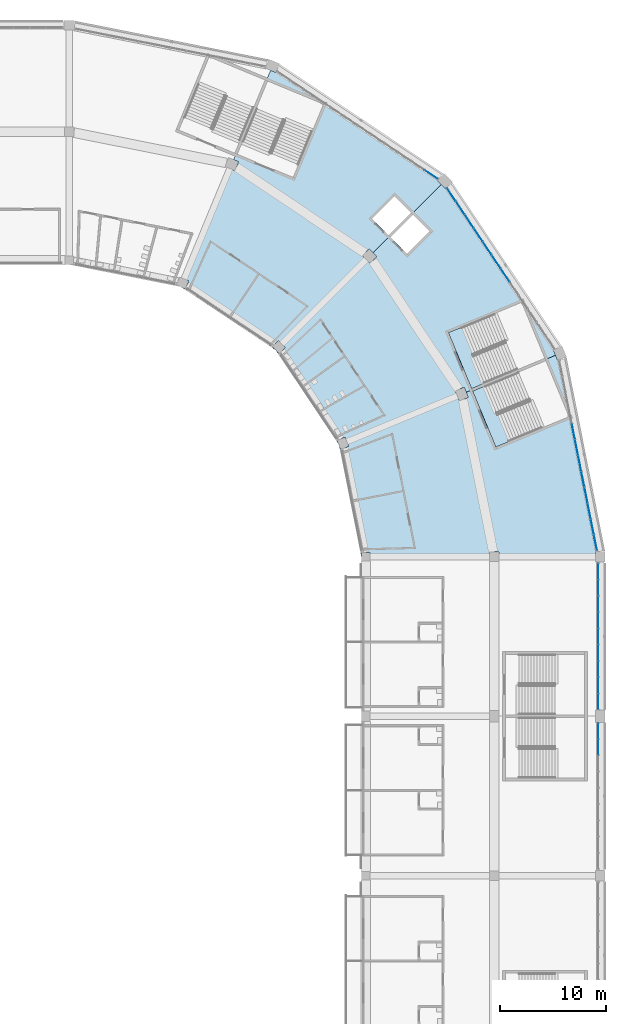
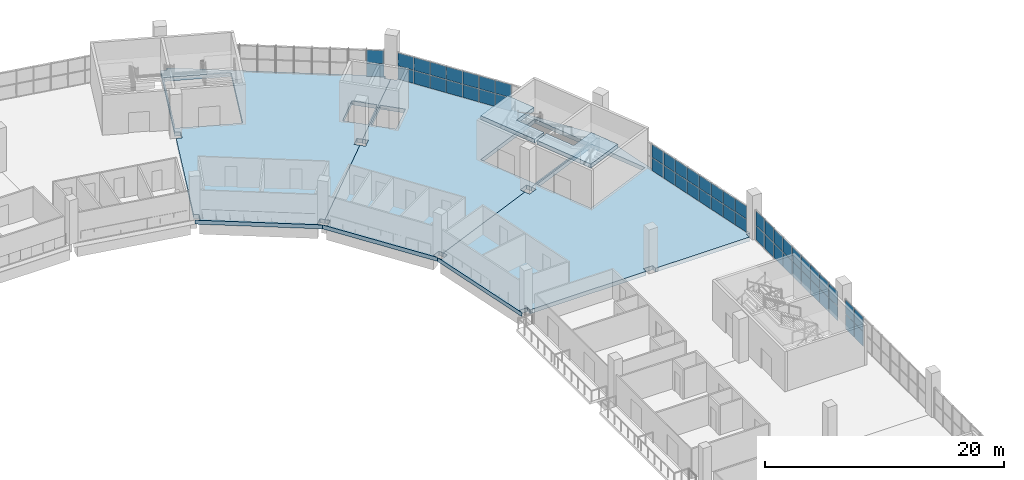
# One storey, part 71 of 199: 54 plates, 5 slabs, 7 elements without a shape of their own.
"""IFC4 building model written with IfcOpenShell, lengths in metres."""

from ifc_helpers import new_model, si_unit, direction, frame, origin, origin_2d, place, context, subcontext, project, spatial, polyline, rectangle, outline, extrude, material, layer, layer_set, type_object, element, aggregate, save


model = new_model("IFC4")

# Units and contexts
model_context = context("Model", 3, precision=1e-05, world=origin(), true_north=direction((0.0, 1.0)))
body_context = subcontext(model_context, "Body", "Model", "MODEL_VIEW")
ifc_project = project(units=[si_unit("LENGTHUNIT", "METRE"), si_unit("AREAUNIT", "SQUARE_METRE"), si_unit("VOLUMEUNIT", "CUBIC_METRE"), si_unit("PLANEANGLEUNIT", "RADIAN"), si_unit("MASSUNIT", "GRAM", prefix="KILO")], contexts=[model_context])

# Site, building, storey
site_placement = place(None, origin())
site = spatial("IfcSite", under=ifc_project, at=site_placement, CompositionType="ELEMENT")
building_placement = place(site_placement, origin())
building = spatial("IfcBuilding", under=site, at=building_placement, Name="Ogive Plaza Stadium", CompositionType="ELEMENT")
storey_placement = place(building_placement, frame((0.0, 0.0, 9.0)))
storey = spatial("IfcBuildingStorey", under=building, at=storey_placement, Name="L02", CompositionType="ELEMENT", Elevation=9.0)

# Curtain wall, plates
ifc_material_1 = material(Name="Bronze-anodised aluminium with laminated glass", Category="aluminium")
curtain_wall_type = type_object("IfcCurtainWallType", Name="Lancet curtain wall", PredefinedType="NOTDEFINED", material=ifc_material_1)
curtain_wall_1_placement = place(storey_placement, origin())
curtain_wall_1 = element("IfcCurtainWall", 1, at=curtain_wall_1_placement, inside=storey, type_object=curtain_wall_type, Name="CURTAIN WALL B01 L02", PredefinedType="NOTDEFINED")
ifc_material_2 = material(Name="Laminated glass", Category="glass")
ifc_layer_1 = layer(ifc_material_2, 0.028076171875)
ifc_layer_set_1 = layer_set([ifc_layer_1], Name="Laminated glass panel 28")
plate_type = type_object("IfcPlateType", Name="Laminated glass panel 28", PredefinedType="CURTAIN_PANEL", material=ifc_layer_set_1)
plate_1_placement = place(storey_placement, frame((83.800048828125, 51.120849609375, 0.0498046875), z_axis=(0.0, 0.0, 1.0), x_axis=(0.0, -1.0, 0.0)))
plate_1 = element("IfcPlate", 2, at=plate_1_placement, type_object=plate_type, Name="CW-B01-L02 panel 1.1", PredefinedType="CURTAIN_PANEL", context=body_context, shape_type="SweptSolid", body=[
    extrude(rectangle(XDim=1.458251953125, YDim=0.028076171875, at=origin_2d()), origin(), (0.0, 0.0, 1.0), 1.469970703125),
])
plate_2_placement = place(storey_placement, frame((83.800048828125, 51.120849609375, 1.56982421875), z_axis=(0.0, 0.0, 1.0), x_axis=(0.0, -1.0, 0.0)))
plate_2 = element("IfcPlate", 3, at=plate_2_placement, type_object=plate_type, Name="CW-B01-L02 panel 1.2", PredefinedType="CURTAIN_PANEL", context=body_context, shape_type="SweptSolid", body=[
    extrude(rectangle(XDim=1.458251953125, YDim=0.028076171875, at=origin_2d()), origin(), (0.0, 0.0, 1.0), 1.469970703125),
])
plate_3_placement = place(storey_placement, frame((83.800048828125, 49.60009765625, 0.0498046875), z_axis=(0.0, 0.0, 1.0), x_axis=(0.0, -1.0, 0.0)))
plate_3 = element("IfcPlate", 4, at=plate_3_placement, type_object=plate_type, Name="CW-B01-L02 panel 2.1", PredefinedType="CURTAIN_PANEL", context=body_context, shape_type="SweptSolid", body=[
    extrude(rectangle(XDim=1.4833984375, YDim=0.028076171875, at=origin_2d()), origin(), (0.0, 0.0, 1.0), 1.469970703125),
])
plate_4_placement = place(storey_placement, frame((83.800048828125, 49.60009765625, 1.56982421875), z_axis=(0.0, 0.0, 1.0), x_axis=(0.0, -1.0, 0.0)))
plate_4 = element("IfcPlate", 5, at=plate_4_placement, type_object=plate_type, Name="CW-B01-L02 panel 2.2", PredefinedType="CURTAIN_PANEL", context=body_context, shape_type="SweptSolid", body=[
    extrude(rectangle(XDim=1.4833984375, YDim=0.028076171875, at=origin_2d()), origin(), (0.0, 0.0, 1.0), 1.469970703125),
])
plate_5_placement = place(storey_placement, frame((83.800048828125, 48.066650390625, 0.0498046875), z_axis=(0.0, 0.0, 1.0), x_axis=(0.0, -1.0, 0.0)))
plate_5 = element("IfcPlate", 6, at=plate_5_placement, type_object=plate_type, Name="CW-B01-L02 panel 3.1", PredefinedType="CURTAIN_PANEL", context=body_context, shape_type="SweptSolid", body=[
    extrude(rectangle(XDim=1.4833984375, YDim=0.028076171875, at=origin_2d()), origin(), (0.0, 0.0, 1.0), 1.469970703125),
])
plate_6_placement = place(storey_placement, frame((83.800048828125, 48.066650390625, 1.56982421875), z_axis=(0.0, 0.0, 1.0), x_axis=(0.0, -1.0, 0.0)))
plate_6 = element("IfcPlate", 7, at=plate_6_placement, type_object=plate_type, Name="CW-B01-L02 panel 3.2", PredefinedType="CURTAIN_PANEL", context=body_context, shape_type="SweptSolid", body=[
    extrude(rectangle(XDim=1.4833984375, YDim=0.028076171875, at=origin_2d()), origin(), (0.0, 0.0, 1.0), 1.469970703125),
])
plate_7_placement = place(storey_placement, frame((83.800048828125, 46.533447265625, 0.0498046875), z_axis=(0.0, 0.0, 1.0), x_axis=(0.0, -1.0, 0.0)))
plate_7 = element("IfcPlate", 8, at=plate_7_placement, type_object=plate_type, Name="CW-B01-L02 panel 4.1", PredefinedType="CURTAIN_PANEL", context=body_context, shape_type="SweptSolid", body=[
    extrude(rectangle(XDim=1.4833984375, YDim=0.028076171875, at=origin_2d()), origin(), (0.0, 0.0, 1.0), 1.469970703125),
])
plate_8_placement = place(storey_placement, frame((83.800048828125, 46.533447265625, 1.56982421875), z_axis=(0.0, 0.0, 1.0), x_axis=(0.0, -1.0, 0.0)))
plate_8 = element("IfcPlate", 9, at=plate_8_placement, type_object=plate_type, Name="CW-B01-L02 panel 4.2", PredefinedType="CURTAIN_PANEL", context=body_context, shape_type="SweptSolid", body=[
    extrude(rectangle(XDim=1.4833984375, YDim=0.028076171875, at=origin_2d()), origin(), (0.0, 0.0, 1.0), 1.469970703125),
])
plate_9_placement = place(storey_placement, frame((83.800048828125, 45.0, 0.0498046875), z_axis=(0.0, 0.0, 1.0), x_axis=(0.0, -1.0, 0.0)))
plate_9 = element("IfcPlate", 10, at=plate_9_placement, type_object=plate_type, Name="CW-B01-L02 panel 5.1", PredefinedType="CURTAIN_PANEL", context=body_context, shape_type="SweptSolid", body=[
    extrude(rectangle(XDim=1.4833984375, YDim=0.028076171875, at=origin_2d()), origin(), (0.0, 0.0, 1.0), 1.469970703125),
])
plate_10_placement = place(storey_placement, frame((83.800048828125, 45.0, 1.56982421875), z_axis=(0.0, 0.0, 1.0), x_axis=(0.0, -1.0, 0.0)))
plate_10 = element("IfcPlate", 11, at=plate_10_placement, type_object=plate_type, Name="CW-B01-L02 panel 5.2", PredefinedType="CURTAIN_PANEL", context=body_context, shape_type="SweptSolid", body=[
    extrude(rectangle(XDim=1.4833984375, YDim=0.028076171875, at=origin_2d()), origin(), (0.0, 0.0, 1.0), 1.469970703125),
])
plate_11_placement = place(storey_placement, frame((83.800048828125, 43.466552734375, 0.0498046875), z_axis=(0.0, 0.0, 1.0), x_axis=(0.0, -1.0, 0.0)))
plate_11 = element("IfcPlate", 12, at=plate_11_placement, type_object=plate_type, Name="CW-B01-L02 panel 6.1", PredefinedType="CURTAIN_PANEL", context=body_context, shape_type="SweptSolid", body=[
    extrude(rectangle(XDim=1.4833984375, YDim=0.028076171875, at=origin_2d()), origin(), (0.0, 0.0, 1.0), 1.469970703125),
])
plate_12_placement = place(storey_placement, frame((83.800048828125, 43.466552734375, 1.56982421875), z_axis=(0.0, 0.0, 1.0), x_axis=(0.0, -1.0, 0.0)))
plate_12 = element("IfcPlate", 13, at=plate_12_placement, type_object=plate_type, Name="CW-B01-L02 panel 6.2", PredefinedType="CURTAIN_PANEL", context=body_context, shape_type="SweptSolid", body=[
    extrude(rectangle(XDim=1.4833984375, YDim=0.028076171875, at=origin_2d()), origin(), (0.0, 0.0, 1.0), 1.469970703125),
])
plate_13_placement = place(storey_placement, frame((83.800048828125, 41.933349609375, 0.0498046875), z_axis=(0.0, 0.0, 1.0), x_axis=(0.0, -1.0, 0.0)))
plate_13 = element("IfcPlate", 14, at=plate_13_placement, type_object=plate_type, Name="CW-B01-L02 panel 7.1", PredefinedType="CURTAIN_PANEL", context=body_context, shape_type="SweptSolid", body=[
    extrude(rectangle(XDim=1.4833984375, YDim=0.028076171875, at=origin_2d()), origin(), (0.0, 0.0, 1.0), 1.469970703125),
])
plate_14_placement = place(storey_placement, frame((83.800048828125, 41.933349609375, 1.56982421875), z_axis=(0.0, 0.0, 1.0), x_axis=(0.0, -1.0, 0.0)))
plate_14 = element("IfcPlate", 15, at=plate_14_placement, type_object=plate_type, Name="CW-B01-L02 panel 7.2", PredefinedType="CURTAIN_PANEL", context=body_context, shape_type="SweptSolid", body=[
    extrude(rectangle(XDim=1.4833984375, YDim=0.028076171875, at=origin_2d()), origin(), (0.0, 0.0, 1.0), 1.469970703125),
])
plate_15_placement = place(storey_placement, frame((83.800048828125, 40.39990234375, 0.0498046875), z_axis=(0.0, 0.0, 1.0), x_axis=(0.0, -1.0, 0.0)))
plate_15 = element("IfcPlate", 16, at=plate_15_placement, type_object=plate_type, Name="CW-B01-L02 panel 8.1", PredefinedType="CURTAIN_PANEL", context=body_context, shape_type="SweptSolid", body=[
    extrude(rectangle(XDim=1.4833984375, YDim=0.028076171875, at=origin_2d()), origin(), (0.0, 0.0, 1.0), 1.469970703125),
])
plate_16_placement = place(storey_placement, frame((83.800048828125, 40.39990234375, 1.56982421875), z_axis=(0.0, 0.0, 1.0), x_axis=(0.0, -1.0, 0.0)))
plate_16 = element("IfcPlate", 17, at=plate_16_placement, type_object=plate_type, Name="CW-B01-L02 panel 8.2", PredefinedType="CURTAIN_PANEL", context=body_context, shape_type="SweptSolid", body=[
    extrude(rectangle(XDim=1.4833984375, YDim=0.028076171875, at=origin_2d()), origin(), (0.0, 0.0, 1.0), 1.469970703125),
])
plate_17_placement = place(storey_placement, frame((83.800048828125, 38.879150390625, 0.0498046875), z_axis=(0.0, 0.0, 1.0), x_axis=(0.0, -1.0, 0.0)))
plate_17 = element("IfcPlate", 18, at=plate_17_placement, type_object=plate_type, Name="CW-B01-L02 panel 9.1", PredefinedType="CURTAIN_PANEL", context=body_context, shape_type="SweptSolid", body=[
    extrude(rectangle(XDim=1.458251953125, YDim=0.028076171875, at=origin_2d()), origin(), (0.0, 0.0, 1.0), 1.469970703125),
])
plate_18_placement = place(storey_placement, frame((83.800048828125, 38.879150390625, 1.56982421875), z_axis=(0.0, 0.0, 1.0), x_axis=(0.0, -1.0, 0.0)))
plate_18 = element("IfcPlate", 19, at=plate_18_placement, type_object=plate_type, Name="CW-B01-L02 panel 9.2", PredefinedType="CURTAIN_PANEL", context=body_context, shape_type="SweptSolid", body=[
    extrude(rectangle(XDim=1.458251953125, YDim=0.028076171875, at=origin_2d()), origin(), (0.0, 0.0, 1.0), 1.469970703125),
])
aggregate(curtain_wall_1, [plate_1, plate_2, plate_3, plate_4, plate_5, plate_6, plate_7, plate_8, plate_9, plate_10, plate_11, plate_12, plate_13, plate_14, plate_15, plate_16, plate_17, plate_18])

curtain_wall_2_placement = place(storey_placement, origin())
curtain_wall_2 = element("IfcCurtainWall", 20, at=curtain_wall_2_placement, inside=storey, type_object=curtain_wall_type, Name="CURTAIN WALL B02 L02", PredefinedType="NOTDEFINED")
plate_19_placement = place(storey_placement, frame((83.800048828125, 36.120849609375, 0.0498046875), z_axis=(0.0, 0.0, 1.0), x_axis=(0.0, -1.0, 0.0)))
plate_19 = element("IfcPlate", 21, at=plate_19_placement, type_object=plate_type, Name="CW-B02-L02 panel 1.1", PredefinedType="CURTAIN_PANEL", context=body_context, shape_type="SweptSolid", body=[
    extrude(rectangle(XDim=1.458251953125, YDim=0.028076171875, at=origin_2d()), origin(), (0.0, 0.0, 1.0), 1.469970703125),
])
plate_20_placement = place(storey_placement, frame((83.800048828125, 36.120849609375, 1.56982421875), z_axis=(0.0, 0.0, 1.0), x_axis=(0.0, -1.0, 0.0)))
plate_20 = element("IfcPlate", 22, at=plate_20_placement, type_object=plate_type, Name="CW-B02-L02 panel 1.2", PredefinedType="CURTAIN_PANEL", context=body_context, shape_type="SweptSolid", body=[
    extrude(rectangle(XDim=1.458251953125, YDim=0.028076171875, at=origin_2d()), origin(), (0.0, 0.0, 1.0), 1.469970703125),
])
plate_21_placement = place(storey_placement, frame((83.800048828125, 34.60009765625, 0.0498046875), z_axis=(0.0, 0.0, 1.0), x_axis=(0.0, -1.0, 0.0)))
plate_21 = element("IfcPlate", 23, at=plate_21_placement, type_object=plate_type, Name="CW-B02-L02 panel 2.1", PredefinedType="CURTAIN_PANEL", context=body_context, shape_type="SweptSolid", body=[
    extrude(rectangle(XDim=1.4833984375, YDim=0.028076171875, at=origin_2d()), origin(), (0.0, 0.0, 1.0), 1.469970703125),
])
plate_22_placement = place(storey_placement, frame((83.800048828125, 34.60009765625, 1.56982421875), z_axis=(0.0, 0.0, 1.0), x_axis=(0.0, -1.0, 0.0)))
plate_22 = element("IfcPlate", 24, at=plate_22_placement, type_object=plate_type, Name="CW-B02-L02 panel 2.2", PredefinedType="CURTAIN_PANEL", context=body_context, shape_type="SweptSolid", body=[
    extrude(rectangle(XDim=1.4833984375, YDim=0.028076171875, at=origin_2d()), origin(), (0.0, 0.0, 1.0), 1.469970703125),
])
aggregate(curtain_wall_2, [plate_19, plate_20, plate_21, plate_22])

curtain_wall_3_placement = place(storey_placement, origin())
curtain_wall_3 = element("IfcCurtainWall", 25, at=curtain_wall_3_placement, inside=storey, type_object=curtain_wall_type, Name="CURTAIN WALL B38 L02", PredefinedType="NOTDEFINED")
plate_23_placement = place(storey_placement, frame((68.0849609375, 88.463623046875, 0.0498046875), z_axis=(0.0, 0.0, 1.0), x_axis=(0.831469612303, -0.55557023302, 0.0)))
plate_23 = element("IfcPlate", 26, at=plate_23_placement, type_object=plate_type, Name="CW-B38-L02 panel 12.1", PredefinedType="CURTAIN_PANEL", context=body_context, shape_type="SweptSolid", body=[
    extrude(rectangle(XDim=1.447265625, YDim=0.028076171875, at=origin_2d()), origin(), (0.0, 0.0, 1.0), 1.320068359375),
])
plate_24_placement = place(storey_placement, frame((68.0849609375, 88.463623046875, 1.419921875), z_axis=(0.0, 0.0, 1.0), x_axis=(0.831469612303, -0.55557023302, 0.0)))
plate_24 = element("IfcPlate", 27, at=plate_24_placement, type_object=plate_type, Name="CW-B38-L02 panel 12.2", PredefinedType="CURTAIN_PANEL", context=body_context, shape_type="SweptSolid", body=[
    extrude(rectangle(XDim=1.447265625, YDim=0.028076171875, at=origin_2d()), origin(), (0.0, 0.0, 1.0), 1.320068359375),
])
aggregate(curtain_wall_3, [plate_23, plate_24])

curtain_wall_4_placement = place(storey_placement, origin())
curtain_wall_4 = element("IfcCurtainWall", 28, at=curtain_wall_4_placement, inside=storey, type_object=curtain_wall_type, Name="CURTAIN WALL B39 L02", PredefinedType="NOTDEFINED")
plate_25_placement = place(storey_placement, frame((69.963623046875, 86.5849609375, 0.0498046875), z_axis=(0.0, 0.0, 1.0), x_axis=(0.55557023302, -0.831469612303, 0.0)))
plate_25 = element("IfcPlate", 29, at=plate_25_placement, type_object=plate_type, Name="CW-B39-L02 panel 1.1", PredefinedType="CURTAIN_PANEL", context=body_context, shape_type="SweptSolid", body=[
    extrude(rectangle(XDim=1.447265625, YDim=0.028076171875, at=origin_2d()), origin(), (0.0, 0.0, 1.0), 1.320068359375),
])
plate_26_placement = place(storey_placement, frame((69.963623046875, 86.5849609375, 1.419921875), z_axis=(0.0, 0.0, 1.0), x_axis=(0.55557023302, -0.831469612303, 0.0)))
plate_26 = element("IfcPlate", 30, at=plate_26_placement, type_object=plate_type, Name="CW-B39-L02 panel 1.2", PredefinedType="CURTAIN_PANEL", context=body_context, shape_type="SweptSolid", body=[
    extrude(rectangle(XDim=1.447265625, YDim=0.028076171875, at=origin_2d()), origin(), (0.0, 0.0, 1.0), 1.320068359375),
])
plate_27_placement = place(storey_placement, frame((70.802490234375, 85.32958984375, 0.0498046875), z_axis=(0.0, 0.0, 1.0), x_axis=(0.55557023302, -0.831469612303, 0.0)))
plate_27 = element("IfcPlate", 31, at=plate_27_placement, type_object=plate_type, Name="CW-B39-L02 panel 2.1", PredefinedType="CURTAIN_PANEL", context=body_context, shape_type="SweptSolid", body=[
    extrude(rectangle(XDim=1.472412109375, YDim=0.028076171875, at=origin_2d()), origin(), (0.0, 0.0, 1.0), 1.320068359375),
])
plate_28_placement = place(storey_placement, frame((70.802490234375, 85.32958984375, 1.419921875), z_axis=(0.0, 0.0, 1.0), x_axis=(0.55557023302, -0.831469612303, 0.0)))
plate_28 = element("IfcPlate", 32, at=plate_28_placement, type_object=plate_type, Name="CW-B39-L02 panel 2.2", PredefinedType="CURTAIN_PANEL", context=body_context, shape_type="SweptSolid", body=[
    extrude(rectangle(XDim=1.472412109375, YDim=0.028076171875, at=origin_2d()), origin(), (0.0, 0.0, 1.0), 1.320068359375),
])
plate_29_placement = place(storey_placement, frame((71.648193359375, 84.06396484375, 0.0498046875), z_axis=(0.0, 0.0, 1.0), x_axis=(0.55557023302, -0.831469612303, 0.0)))
plate_29 = element("IfcPlate", 33, at=plate_29_placement, type_object=plate_type, Name="CW-B39-L02 panel 3.1", PredefinedType="CURTAIN_PANEL", context=body_context, shape_type="SweptSolid", body=[
    extrude(rectangle(XDim=1.472412109375, YDim=0.028076171875, at=origin_2d()), origin(), (0.0, 0.0, 1.0), 1.320068359375),
])
plate_30_placement = place(storey_placement, frame((71.648193359375, 84.06396484375, 1.419921875), z_axis=(0.0, 0.0, 1.0), x_axis=(0.55557023302, -0.831469612303, 0.0)))
plate_30 = element("IfcPlate", 34, at=plate_30_placement, type_object=plate_type, Name="CW-B39-L02 panel 3.2", PredefinedType="CURTAIN_PANEL", context=body_context, shape_type="SweptSolid", body=[
    extrude(rectangle(XDim=1.472412109375, YDim=0.028076171875, at=origin_2d()), origin(), (0.0, 0.0, 1.0), 1.320068359375),
])
plate_31_placement = place(storey_placement, frame((72.493896484375, 82.798095703125, 0.0498046875), z_axis=(0.0, 0.0, 1.0), x_axis=(0.55557023302, -0.831469612303, 0.0)))
plate_31 = element("IfcPlate", 35, at=plate_31_placement, type_object=plate_type, Name="CW-B39-L02 panel 4.1", PredefinedType="CURTAIN_PANEL", context=body_context, shape_type="SweptSolid", body=[
    extrude(rectangle(XDim=1.472412109375, YDim=0.028076171875, at=origin_2d()), origin(), (0.0, 0.0, 1.0), 1.320068359375),
])
plate_32_placement = place(storey_placement, frame((72.493896484375, 82.798095703125, 1.419921875), z_axis=(0.0, 0.0, 1.0), x_axis=(0.55557023302, -0.831469612303, 0.0)))
plate_32 = element("IfcPlate", 36, at=plate_32_placement, type_object=plate_type, Name="CW-B39-L02 panel 4.2", PredefinedType="CURTAIN_PANEL", context=body_context, shape_type="SweptSolid", body=[
    extrude(rectangle(XDim=1.472412109375, YDim=0.028076171875, at=origin_2d()), origin(), (0.0, 0.0, 1.0), 1.320068359375),
])
plate_33_placement = place(storey_placement, frame((73.339599609375, 81.5322265625, 0.0498046875), z_axis=(0.0, 0.0, 1.0), x_axis=(0.55557023302, -0.831469612303, 0.0)))
plate_33 = element("IfcPlate", 37, at=plate_33_placement, type_object=plate_type, Name="CW-B39-L02 panel 5.1", PredefinedType="CURTAIN_PANEL", context=body_context, shape_type="SweptSolid", body=[
    extrude(rectangle(XDim=1.472412109375, YDim=0.028076171875, at=origin_2d()), origin(), (0.0, 0.0, 1.0), 1.320068359375),
])
plate_34_placement = place(storey_placement, frame((73.339599609375, 81.5322265625, 1.419921875), z_axis=(0.0, 0.0, 1.0), x_axis=(0.55557023302, -0.831469612303, 0.0)))
plate_34 = element("IfcPlate", 38, at=plate_34_placement, type_object=plate_type, Name="CW-B39-L02 panel 5.2", PredefinedType="CURTAIN_PANEL", context=body_context, shape_type="SweptSolid", body=[
    extrude(rectangle(XDim=1.472412109375, YDim=0.028076171875, at=origin_2d()), origin(), (0.0, 0.0, 1.0), 1.320068359375),
])
plate_35_placement = place(storey_placement, frame((74.185546875, 80.2666015625, 0.0498046875), z_axis=(0.0, 0.0, 1.0), x_axis=(0.55557023302, -0.831469612303, 0.0)))
plate_35 = element("IfcPlate", 39, at=plate_35_placement, type_object=plate_type, Name="CW-B39-L02 panel 6.1", PredefinedType="CURTAIN_PANEL", context=body_context, shape_type="SweptSolid", body=[
    extrude(rectangle(XDim=1.472412109375, YDim=0.028076171875, at=origin_2d()), origin(), (0.0, 0.0, 1.0), 1.320068359375),
])
plate_36_placement = place(storey_placement, frame((74.185546875, 80.2666015625, 1.419921875), z_axis=(0.0, 0.0, 1.0), x_axis=(0.55557023302, -0.831469612303, 0.0)))
plate_36 = element("IfcPlate", 40, at=plate_36_placement, type_object=plate_type, Name="CW-B39-L02 panel 6.2", PredefinedType="CURTAIN_PANEL", context=body_context, shape_type="SweptSolid", body=[
    extrude(rectangle(XDim=1.472412109375, YDim=0.028076171875, at=origin_2d()), origin(), (0.0, 0.0, 1.0), 1.320068359375),
])
plate_37_placement = place(storey_placement, frame((75.03125, 79.000732421875, 0.0498046875), z_axis=(0.0, 0.0, 1.0), x_axis=(0.55557023302, -0.831469612303, 0.0)))
plate_37 = element("IfcPlate", 41, at=plate_37_placement, type_object=plate_type, Name="CW-B39-L02 panel 7.1", PredefinedType="CURTAIN_PANEL", context=body_context, shape_type="SweptSolid", body=[
    extrude(rectangle(XDim=1.472412109375, YDim=0.028076171875, at=origin_2d()), origin(), (0.0, 0.0, 1.0), 1.320068359375),
])
plate_38_placement = place(storey_placement, frame((75.03125, 79.000732421875, 1.419921875), z_axis=(0.0, 0.0, 1.0), x_axis=(0.55557023302, -0.831469612303, 0.0)))
plate_38 = element("IfcPlate", 42, at=plate_38_placement, type_object=plate_type, Name="CW-B39-L02 panel 7.2", PredefinedType="CURTAIN_PANEL", context=body_context, shape_type="SweptSolid", body=[
    extrude(rectangle(XDim=1.472412109375, YDim=0.028076171875, at=origin_2d()), origin(), (0.0, 0.0, 1.0), 1.320068359375),
])
aggregate(curtain_wall_4, [plate_25, plate_26, plate_27, plate_28, plate_29, plate_30, plate_31, plate_32, plate_33, plate_34, plate_35, plate_36, plate_37, plate_38])

curtain_wall_5_placement = place(storey_placement, origin())
curtain_wall_5 = element("IfcCurtainWall", 43, at=curtain_wall_5_placement, inside=storey, type_object=curtain_wall_type, Name="CURTAIN WALL B40 L02", PredefinedType="NOTDEFINED")
plate_39_placement = place(storey_placement, frame((81.455322265625, 64.267822265625, 0.0498046875), z_axis=(0.0, 0.0, 1.0), x_axis=(0.195090322033, -0.9807852804, 0.0)))
plate_39 = element("IfcPlate", 44, at=plate_39_placement, type_object=plate_type, Name="CW-B40-L02 panel 5.1", PredefinedType="CURTAIN_PANEL", context=body_context, shape_type="SweptSolid", body=[
    extrude(rectangle(XDim=1.472412109375, YDim=0.028076171875, at=origin_2d()), origin(), (0.0, 0.0, 1.0), 1.320068359375),
])
plate_40_placement = place(storey_placement, frame((81.455322265625, 64.267822265625, 1.419921875), z_axis=(0.0, 0.0, 1.0), x_axis=(0.195090322033, -0.9807852804, 0.0)))
plate_40 = element("IfcPlate", 45, at=plate_40_placement, type_object=plate_type, Name="CW-B40-L02 panel 5.2", PredefinedType="CURTAIN_PANEL", context=body_context, shape_type="SweptSolid", body=[
    extrude(rectangle(XDim=1.472412109375, YDim=0.028076171875, at=origin_2d()), origin(), (0.0, 0.0, 1.0), 1.320068359375),
])
plate_41_placement = place(storey_placement, frame((81.75244140625, 62.774658203125, 0.0498046875), z_axis=(0.0, 0.0, 1.0), x_axis=(0.195090322033, -0.9807852804, 0.0)))
plate_41 = element("IfcPlate", 46, at=plate_41_placement, type_object=plate_type, Name="CW-B40-L02 panel 6.1", PredefinedType="CURTAIN_PANEL", context=body_context, shape_type="SweptSolid", body=[
    extrude(rectangle(XDim=1.472412109375, YDim=0.028076171875, at=origin_2d()), origin(), (0.0, 0.0, 1.0), 1.320068359375),
])
plate_42_placement = place(storey_placement, frame((81.75244140625, 62.774658203125, 1.419921875), z_axis=(0.0, 0.0, 1.0), x_axis=(0.195090322033, -0.9807852804, 0.0)))
plate_42 = element("IfcPlate", 47, at=plate_42_placement, type_object=plate_type, Name="CW-B40-L02 panel 6.2", PredefinedType="CURTAIN_PANEL", context=body_context, shape_type="SweptSolid", body=[
    extrude(rectangle(XDim=1.472412109375, YDim=0.028076171875, at=origin_2d()), origin(), (0.0, 0.0, 1.0), 1.320068359375),
])
plate_43_placement = place(storey_placement, frame((82.04931640625, 61.281494140625, 0.0498046875), z_axis=(0.0, 0.0, 1.0), x_axis=(0.195090322033, -0.9807852804, 0.0)))
plate_43 = element("IfcPlate", 48, at=plate_43_placement, type_object=plate_type, Name="CW-B40-L02 panel 7.1", PredefinedType="CURTAIN_PANEL", context=body_context, shape_type="SweptSolid", body=[
    extrude(rectangle(XDim=1.472412109375, YDim=0.028076171875, at=origin_2d()), origin(), (0.0, 0.0, 1.0), 1.320068359375),
])
plate_44_placement = place(storey_placement, frame((82.04931640625, 61.281494140625, 1.419921875), z_axis=(0.0, 0.0, 1.0), x_axis=(0.195090322033, -0.9807852804, 0.0)))
plate_44 = element("IfcPlate", 49, at=plate_44_placement, type_object=plate_type, Name="CW-B40-L02 panel 7.2", PredefinedType="CURTAIN_PANEL", context=body_context, shape_type="SweptSolid", body=[
    extrude(rectangle(XDim=1.472412109375, YDim=0.028076171875, at=origin_2d()), origin(), (0.0, 0.0, 1.0), 1.320068359375),
])
plate_45_placement = place(storey_placement, frame((82.346435546875, 59.788330078125, 0.0498046875), z_axis=(0.0, 0.0, 1.0), x_axis=(0.195090322033, -0.9807852804, 0.0)))
plate_45 = element("IfcPlate", 50, at=plate_45_placement, type_object=plate_type, Name="CW-B40-L02 panel 8.1", PredefinedType="CURTAIN_PANEL", context=body_context, shape_type="SweptSolid", body=[
    extrude(rectangle(XDim=1.472412109375, YDim=0.028076171875, at=origin_2d()), origin(), (0.0, 0.0, 1.0), 1.320068359375),
])
plate_46_placement = place(storey_placement, frame((82.346435546875, 59.788330078125, 1.419921875), z_axis=(0.0, 0.0, 1.0), x_axis=(0.195090322033, -0.9807852804, 0.0)))
plate_46 = element("IfcPlate", 51, at=plate_46_placement, type_object=plate_type, Name="CW-B40-L02 panel 8.2", PredefinedType="CURTAIN_PANEL", context=body_context, shape_type="SweptSolid", body=[
    extrude(rectangle(XDim=1.472412109375, YDim=0.028076171875, at=origin_2d()), origin(), (0.0, 0.0, 1.0), 1.320068359375),
])
plate_47_placement = place(storey_placement, frame((82.643310546875, 58.29541015625, 0.0498046875), z_axis=(0.0, 0.0, 1.0), x_axis=(0.195090322033, -0.9807852804, 0.0)))
plate_47 = element("IfcPlate", 52, at=plate_47_placement, type_object=plate_type, Name="CW-B40-L02 panel 9.1", PredefinedType="CURTAIN_PANEL", context=body_context, shape_type="SweptSolid", body=[
    extrude(rectangle(XDim=1.472412109375, YDim=0.028076171875, at=origin_2d()), origin(), (0.0, 0.0, 1.0), 1.320068359375),
])
plate_48_placement = place(storey_placement, frame((82.643310546875, 58.29541015625, 1.419921875), z_axis=(0.0, 0.0, 1.0), x_axis=(0.195090322033, -0.9807852804, 0.0)))
plate_48 = element("IfcPlate", 53, at=plate_48_placement, type_object=plate_type, Name="CW-B40-L02 panel 9.2", PredefinedType="CURTAIN_PANEL", context=body_context, shape_type="SweptSolid", body=[
    extrude(rectangle(XDim=1.472412109375, YDim=0.028076171875, at=origin_2d()), origin(), (0.0, 0.0, 1.0), 1.320068359375),
])
plate_49_placement = place(storey_placement, frame((82.9404296875, 56.80224609375, 0.0498046875), z_axis=(0.0, 0.0, 1.0), x_axis=(0.195090322033, -0.9807852804, 0.0)))
plate_49 = element("IfcPlate", 54, at=plate_49_placement, type_object=plate_type, Name="CW-B40-L02 panel 10.1", PredefinedType="CURTAIN_PANEL", context=body_context, shape_type="SweptSolid", body=[
    extrude(rectangle(XDim=1.472412109375, YDim=0.028076171875, at=origin_2d()), origin(), (0.0, 0.0, 1.0), 1.320068359375),
])
plate_50_placement = place(storey_placement, frame((82.9404296875, 56.80224609375, 1.419921875), z_axis=(0.0, 0.0, 1.0), x_axis=(0.195090322033, -0.9807852804, 0.0)))
plate_50 = element("IfcPlate", 55, at=plate_50_placement, type_object=plate_type, Name="CW-B40-L02 panel 10.2", PredefinedType="CURTAIN_PANEL", context=body_context, shape_type="SweptSolid", body=[
    extrude(rectangle(XDim=1.472412109375, YDim=0.028076171875, at=origin_2d()), origin(), (0.0, 0.0, 1.0), 1.320068359375),
])
plate_51_placement = place(storey_placement, frame((83.2373046875, 55.30908203125, 0.0498046875), z_axis=(0.0, 0.0, 1.0), x_axis=(0.195090322033, -0.9807852804, 0.0)))
plate_51 = element("IfcPlate", 56, at=plate_51_placement, type_object=plate_type, Name="CW-B40-L02 panel 11.1", PredefinedType="CURTAIN_PANEL", context=body_context, shape_type="SweptSolid", body=[
    extrude(rectangle(XDim=1.472412109375, YDim=0.028076171875, at=origin_2d()), origin(), (0.0, 0.0, 1.0), 1.320068359375),
])
plate_52_placement = place(storey_placement, frame((83.2373046875, 55.30908203125, 1.419921875), z_axis=(0.0, 0.0, 1.0), x_axis=(0.195090322033, -0.9807852804, 0.0)))
plate_52 = element("IfcPlate", 57, at=plate_52_placement, type_object=plate_type, Name="CW-B40-L02 panel 11.2", PredefinedType="CURTAIN_PANEL", context=body_context, shape_type="SweptSolid", body=[
    extrude(rectangle(XDim=1.472412109375, YDim=0.028076171875, at=origin_2d()), origin(), (0.0, 0.0, 1.0), 1.320068359375),
])
plate_53_placement = place(storey_placement, frame((83.531982421875, 53.828369140625, 0.0498046875), z_axis=(0.0, 0.0, 1.0), x_axis=(0.195090322033, -0.9807852804, 0.0)))
plate_53 = element("IfcPlate", 58, at=plate_53_placement, type_object=plate_type, Name="CW-B40-L02 panel 12.1", PredefinedType="CURTAIN_PANEL", context=body_context, shape_type="SweptSolid", body=[
    extrude(rectangle(XDim=1.447265625, YDim=0.028076171875, at=origin_2d()), origin(), (0.0, 0.0, 1.0), 1.320068359375),
])
plate_54_placement = place(storey_placement, frame((83.531982421875, 53.828369140625, 1.419921875), z_axis=(0.0, 0.0, 1.0), x_axis=(0.195090322033, -0.9807852804, 0.0)))
plate_54 = element("IfcPlate", 59, at=plate_54_placement, type_object=plate_type, Name="CW-B40-L02 panel 12.2", PredefinedType="CURTAIN_PANEL", context=body_context, shape_type="SweptSolid", body=[
    extrude(rectangle(XDim=1.447265625, YDim=0.028076171875, at=origin_2d()), origin(), (0.0, 0.0, 1.0), 1.320068359375),
])
aggregate(curtain_wall_5, [plate_39, plate_40, plate_41, plate_42, plate_43, plate_44, plate_45, plate_46, plate_47, plate_48, plate_49, plate_50, plate_51, plate_52, plate_53, plate_54])

# Slabs
ifc_material_3 = material(Name="Concrete C40/50", Category="concrete")
ifc_layer_2 = layer(ifc_material_3, 0.409912109375)
ifc_layer_set_2 = layer_set([ifc_layer_2], Name="Concrete C40/50")
slab_type_1 = type_object("IfcSlabType", Name="RC floor slab 410", PredefinedType="FLOOR", material=ifc_layer_set_2)
slab_1_placement = place(storey_placement, frame((0.0, 0.0, -0.409912109375)))
element("IfcSlab", 60, at=slab_1_placement, inside=storey, type_object=slab_type_1, Name="Floor slab L02 B38", PredefinedType="FLOOR", context=body_context, shape_type="SweptSolid", body=[
    extrude(outline(polyline([(61.966064453125, 80.466064453125), (61.612548828125, 80.819580078125), (62.2490234375, 81.4560546875), (62.6025390625, 81.1025390625), (69.037109375, 87.537109375), (68.648193359375, 87.926025390625), (68.88916015625, 88.1669921875), (53.600341796875, 98.38232421875), (53.47021484375, 98.06787109375), (52.9619140625, 98.2783203125), (49.4794921875, 89.870849609375), (49.94140625, 89.6796875), (49.59716796875, 88.84814453125), (49.135009765625, 89.03955078125), (44.829833984375, 78.645751953125), (45.24560546875, 78.4736328125), (44.939453125, 77.734375), (44.523681640625, 77.90673828125), (53.445556640625, 71.945556640625), (53.127197265625, 72.263671875), (53.69287109375, 72.829345703125), (54.01123046875, 72.51123046875), (61.966064453125, 80.466064453125)]), holes=[polyline([(62.51416015625, 84.30224609375), (64.06982421875, 82.74658203125), (66.19091796875, 84.867919921875), (64.635498046875, 86.42333984375), (62.51416015625, 84.30224609375)]), polyline([(49.82470703125, 90.37744140625), (55.0908203125, 88.196044921875), (57.945556640625, 95.08837890625), (52.679443359375, 97.26953125), (49.82470703125, 90.37744140625)])]), origin(), (0.0, 0.0, 1.0), 0.409912109375),
])
slab_2_placement = place(storey_placement, frame((0.0, 0.0, -0.409912109375)))
element("IfcSlab", 61, at=slab_2_placement, inside=storey, type_object=slab_type_1, Name="Floor slab L02 B39", PredefinedType="FLOOR", context=body_context, shape_type="SweptSolid", body=[
    extrude(outline(polyline([(70.53955078125, 67.635009765625), (70.34814453125, 68.09716796875), (71.1796875, 68.44140625), (71.370849609375, 67.9794921875), (79.7783203125, 71.4619140625), (79.56787109375, 71.97021484375), (79.88232421875, 72.100341796875), (69.6669921875, 87.38916015625), (69.426025390625, 87.148193359375), (69.037109375, 87.537109375), (62.6025390625, 81.1025390625), (62.9560546875, 80.7490234375), (62.319580078125, 80.112548828125), (61.966064453125, 80.466064453125), (54.01123046875, 72.51123046875), (54.329345703125, 72.19287109375), (53.763671875, 71.627197265625), (53.445556640625, 71.945556640625), (59.40673828125, 63.023681640625), (59.234375, 63.439453125), (59.9736328125, 63.74560546875), (60.145751953125, 63.329833984375), (70.53955078125, 67.635009765625)]), holes=[polyline([(69.696044921875, 73.5908203125), (71.87744140625, 68.32470703125), (78.76953125, 71.179443359375), (76.58837890625, 76.445556640625), (69.696044921875, 73.5908203125)]), polyline([(64.24658203125, 82.56982421875), (65.80224609375, 81.01416015625), (67.92333984375, 83.135498046875), (66.367919921875, 84.69091796875), (64.24658203125, 82.56982421875)])]), origin(), (0.0, 0.0, 1.0), 0.409912109375),
])
slab_3_placement = place(storey_placement, frame((0.0, 0.0, -0.409912109375)))
element("IfcSlab", 62, at=slab_3_placement, inside=storey, type_object=slab_type_1, Name="Floor slab L02 B40", PredefinedType="FLOOR", context=body_context, shape_type="SweptSolid", body=[
    extrude(outline(polyline([(73.550048828125, 52.5), (73.550048828125, 52.949951171875), (74.449951171875, 52.949951171875), (74.449951171875, 52.5), (83.550048828125, 52.5), (83.550048828125, 53.0), (83.900634765625, 53.0), (80.303466796875, 71.084228515625), (79.98876953125, 70.953857421875), (79.7783203125, 71.4619140625), (71.370849609375, 67.9794921875), (71.562255859375, 67.517578125), (70.730712890625, 67.173095703125), (70.53955078125, 67.635009765625), (60.145751953125, 63.329833984375), (60.318115234375, 62.914306640625), (59.578857421875, 62.608154296875), (59.40673828125, 63.023681640625), (61.5, 52.5), (61.5, 52.89990234375), (62.300048828125, 52.89990234375), (62.300048828125, 52.5), (73.550048828125, 52.5)]), holes=[polyline([(71.97314453125, 68.09375), (74.154296875, 62.82763671875), (81.046630859375, 65.682373046875), (78.865234375, 70.948486328125), (71.97314453125, 68.09375)])]), origin(), (0.0, 0.0, 1.0), 0.409912109375),
])

# Stair, slab
ifc_material_4 = material(Name="Concrete C40/50", Category="concrete")
stair_type = type_object("IfcStairType", Name="Exit stair", PredefinedType="STRAIGHT_RUN_STAIR", material=ifc_material_4)
stair_1_placement = place(storey_placement, origin())
stair_1 = element("IfcStair", 63, at=stair_1_placement, inside=storey, type_object=stair_type, Name="Exit stair ST40A L02 to L03", PredefinedType="STRAIGHT_RUN_STAIR")
ifc_material_5 = material(Name="Concrete C40/50", Category="concrete")
ifc_layer_3 = layer(ifc_material_5, 0.39990234375)
ifc_layer_set_3 = layer_set([ifc_layer_3], Name="Concrete C40/50")
slab_type_2 = type_object("IfcSlabType", Name="Stair landing", PredefinedType="LANDING", material=ifc_layer_set_3)
slab_4_placement = place(storey_placement, frame((0.0, 0.0, 4.10009765625)))
slab_4 = element("IfcSlab", 64, at=slab_4_placement, type_object=slab_type_2, Name="ST40A landing 2", PredefinedType="LANDING", context=body_context, shape_type="SweptSolid", body=[
    extrude(outline(polyline([(76.501220703125, 66.830322265625), (77.57275390625, 64.243408203125), (75.35546875, 63.324951171875), (74.154296875, 62.82763671875), (71.97314453125, 68.09375), (73.174072265625, 68.591064453125), (74.283935546875, 65.911865234375), (76.501220703125, 66.830322265625)])), origin(), (0.0, 0.0, 1.0), 0.39990234375),
])
aggregate(stair_1, [slab_4])

stair_2_placement = place(storey_placement, origin())
stair_2 = element("IfcStair", 65, at=stair_2_placement, inside=storey, type_object=stair_type, Name="Exit stair ST40B L02 to L03", PredefinedType="STRAIGHT_RUN_STAIR")
slab_5_placement = place(storey_placement, frame((0.0, 0.0, 4.10009765625)))
slab_5 = element("IfcSlab", 66, at=slab_5_placement, type_object=slab_type_2, Name="ST40B landing 2", PredefinedType="LANDING", context=body_context, shape_type="SweptSolid", body=[
    extrude(outline(polyline([(73.078369140625, 68.822021484375), (71.87744140625, 68.32470703125), (69.696044921875, 73.5908203125), (70.897216796875, 74.088134765625), (73.114501953125, 75.006591796875), (74.18603515625, 72.419921875), (71.96875, 71.50146484375), (73.078369140625, 68.822021484375)])), origin(), (0.0, 0.0, 1.0), 0.39990234375),
])
aggregate(stair_2, [slab_5])

save(model, "model.ifc")
